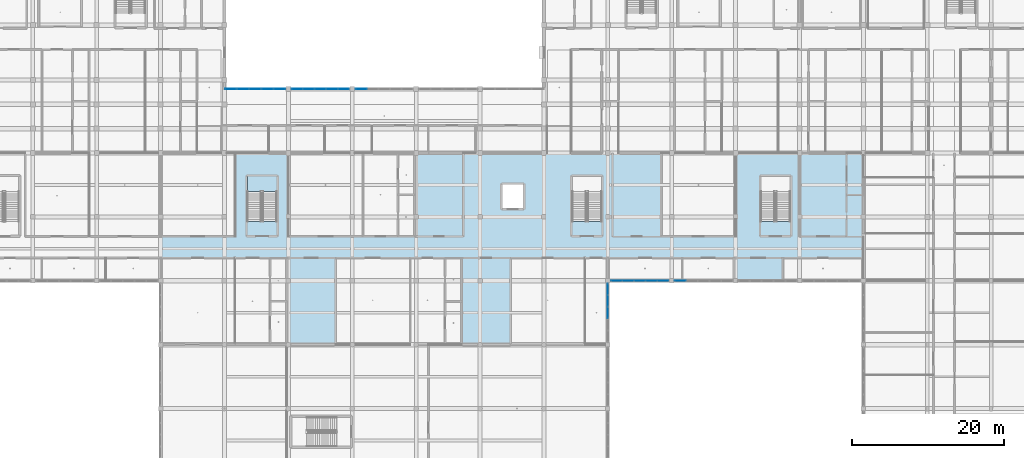
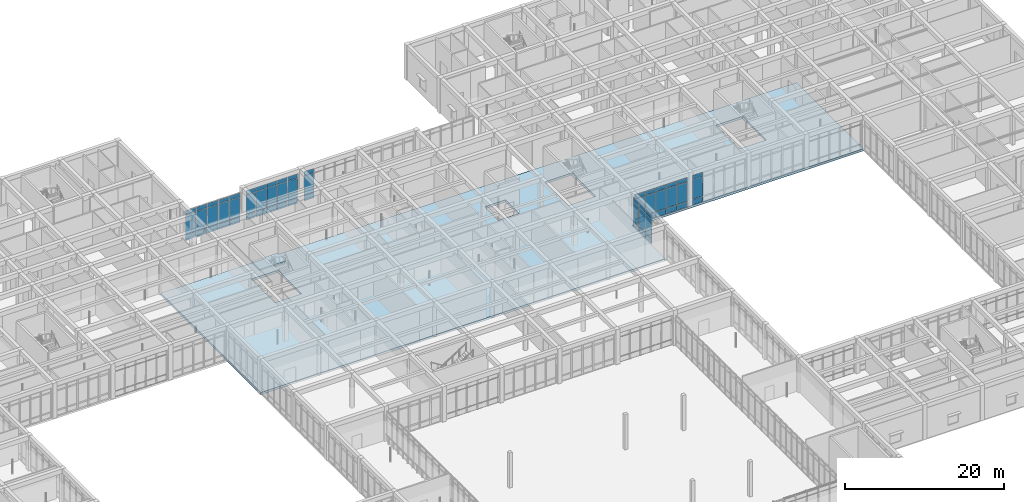
# One storey, part 68 of 157: 60 plates, 2 slabs, 7 elements without a shape of their own.
"""IFC4 building model written with IfcOpenShell, lengths in metres."""

import ifcopenshell
import ifcopenshell.guid

model = None  # the IFC model being written
_history = None  # IfcOwnerHistory: only IFC2X3 demands one
_inside = {}  # id of a spatial element -> (the spatial element, [elements in it])
_under = {}  # id of a project, library or spatial element -> (it, [spatial elements below it])
_declared = {}  # id of a project -> (the project, [libraries it declares])
_typed = {}  # id of a type object -> (the type object, [elements of that type])
_made_of = {}  # id of a material, layer set ... -> (it, [elements and type objects made of it])


def new_model(schema):
    """Start an empty IFC model of exactly this schema.

    Asked for "IFC4X3", IfcOpenShell would pick the latest addendum, in which some entities
    have other attributes; the version numbers below select the first issue.
    IFC2X3 requires an IfcOwnerHistory on every rooted entity: one is made here for all.
    """
    global model, _history
    if schema == "IFC4X3":
        model = ifcopenshell.file(schema_version=(4, 3, 0, 0))
    else:
        model = ifcopenshell.file(schema=schema)
    _inside.clear()
    _under.clear()
    _declared.clear()
    _typed.clear()
    _made_of.clear()
    _history = None
    if model.schema == "IFC2X3":
        org = make("IfcOrganization", Name="unknown")
        user = make(
            "IfcPersonAndOrganization",
            ThePerson=make("IfcPerson", FamilyName="unknown"),
            TheOrganization=org,
        )
        app = make(
            "IfcApplication",
            ApplicationDeveloper=org,
            Version="unknown",
            ApplicationFullName="unknown",
            ApplicationIdentifier="unknown",
        )
        _history = make(
            "IfcOwnerHistory",
            OwningUser=user,
            OwningApplication=app,
            ChangeAction="ADDED",
            CreationDate=0,
        )
    return model


def make(cls, **values):
    """One entity of the class cls with the attributes given. An attribute that is None is left unset."""
    return model.create_entity(
        cls, **{name: value for name, value in values.items() if value is not None}
    )


def rooted(cls, **values):
    """An entity with a GlobalId (a new one), such as an element, a storey or a relation."""
    return make(cls, GlobalId=ifcopenshell.guid.new(), OwnerHistory=_history, **values)


def si_unit(unit_type, name, prefix=None):
    """IfcSIUnit, for example si_unit("LENGTHUNIT", "METRE", prefix="MILLI")."""
    return make("IfcSIUnit", UnitType=unit_type, Prefix=prefix, Name=name)


def assignment(units):
    """IfcUnitAssignment: the units of a project."""
    return None if units is None else make("IfcUnitAssignment", Units=units)


def point(xyz):
    """IfcCartesianPoint."""
    return None if xyz is None else make("IfcCartesianPoint", Coordinates=xyz)


def direction(xyz):
    """IfcDirection."""
    return None if xyz is None else make("IfcDirection", DirectionRatios=xyz)


def frame(location, z_axis=None, x_axis=None):
    """IfcAxis2Placement3D, a coordinate frame: its origin and axes. An axis left out is left unset."""
    return make(
        "IfcAxis2Placement3D",
        Location=point(location),
        Axis=direction(z_axis),
        RefDirection=direction(x_axis),
    )


def frame_2d(location, x_axis=None):
    """IfcAxis2Placement2D, a coordinate frame in the plane: its origin and x axis."""
    return make(
        "IfcAxis2Placement2D", Location=point(location), RefDirection=direction(x_axis)
    )


def origin():
    """The frame at (0, 0, 0) with its axes left unset."""
    return frame((0.0, 0.0, 0.0))


def origin_2d():
    """The frame at (0, 0) in the plane with its x axis left unset."""
    return frame_2d((0.0, 0.0))


def place(relative_to, where):
    """IfcLocalPlacement: puts the frame where relative to a parent placement (None: the world)."""
    return make(
        "IfcLocalPlacement", PlacementRelTo=relative_to, RelativePlacement=where
    )


def context(
    kind, dimensions, precision=None, world=None, true_north=None, identifier=None
):
    """IfcGeometricRepresentationContext, for example the 3D "Model" context."""
    return make(
        "IfcGeometricRepresentationContext",
        ContextIdentifier=identifier,
        ContextType=kind,
        CoordinateSpaceDimension=dimensions,
        Precision=precision,
        WorldCoordinateSystem=world,
        TrueNorth=true_north,
    )


def subcontext(parent, identifier, kind, view, scale=None):
    """IfcGeometricRepresentationSubContext, for example "Body" below "Model"."""
    return make(
        "IfcGeometricRepresentationSubContext",
        ContextIdentifier=identifier,
        ContextType=kind,
        ParentContext=parent,
        TargetScale=scale,
        TargetView=view,
    )


def project(units=None, contexts=None):
    """IfcProject with its units and contexts."""
    return rooted(
        "IfcProject",
        Name="project",
        RepresentationContexts=contexts,
        UnitsInContext=assignment(units),
    )


def spatial(cls, under=None, at=None, **own):
    """A site, building, storey or space (cls), placed at a placement, below another one or the project."""
    s = rooted(cls, ObjectPlacement=at, **own)
    if under is not None:
        _under.setdefault(under.id(), (under, []))[1].append(s)
    return s


def polyline(points):
    """IfcPolyline through the points."""
    return make("IfcPolyline", Points=[point(p) for p in points])


def profile(cls, at=None, kind="AREA", **sizes):
    """A parametric profile (cls). Its sizes go by their IFC names, for example OverallWidth=200.0."""
    return make(cls, ProfileType=kind, Position=at, **sizes)


def rectangle(**sizes):
    """IfcRectangleProfileDef."""
    return profile("IfcRectangleProfileDef", **sizes)


def outline(outer, holes=None, kind="AREA"):
    """IfcArbitraryClosedProfileDef: a profile drawn as a closed curve; with holes, ...WithVoids."""
    if holes is None:
        return make("IfcArbitraryClosedProfileDef", ProfileType=kind, OuterCurve=outer)
    return make(
        "IfcArbitraryProfileDefWithVoids",
        ProfileType=kind,
        OuterCurve=outer,
        InnerCurves=holes,
    )


def extrude(swept, where, along, depth):
    """IfcExtrudedAreaSolid: the profile swept, set in the frame where, extruded along a direction by depth."""
    return make(
        "IfcExtrudedAreaSolid",
        SweptArea=swept,
        Position=where,
        ExtrudedDirection=direction(along),
        Depth=depth,
    )


def shape(context_of_items, identifier, shape_type, items):
    """IfcShapeRepresentation: the items that make up one representation, for example the "Body"."""
    return make(
        "IfcShapeRepresentation",
        ContextOfItems=context_of_items,
        RepresentationIdentifier=identifier,
        RepresentationType=shape_type,
        Items=items,
    )


def material(Name=None, Category=None):
    """IfcMaterial."""
    return make("IfcMaterial", Name=Name, Category=Category)


def layer(
    of_material, thickness, ventilated=None, Name=None, Category=None, Priority=None
):
    """IfcMaterialLayer: one layer of a wall or slab, of a material (None: an air gap)."""
    return make(
        "IfcMaterialLayer",
        Material=of_material,
        LayerThickness=thickness,
        IsVentilated=ventilated,
        Name=Name,
        Category=Category,
        Priority=Priority,
    )


def layer_set(layers, Name=None):
    """IfcMaterialLayerSet."""
    return make("IfcMaterialLayerSet", MaterialLayers=layers, LayerSetName=Name)


def made_of(thing, what):
    """Note that an element or type object is made of a material, layer set ...; save() writes the relation."""
    if what is not None:
        _made_of.setdefault(what.id(), (what, []))[1].append(thing)
    return thing


def type_object(cls, material=None, **own):
    """A type object (cls), such as IfcWallType, which elements share."""
    return made_of(rooted(cls, **own), material)


def element(
    cls,
    number,
    at=None,
    inside=None,
    cuts=None,
    type_object=None,
    material=None,
    context=None,
    identifier="Body",
    shape_type=None,
    held_by="IfcProductDefinitionShape",
    body=None,
    shapes=None,
    **own,
):
    """One element of the class cls, such as IfcWall. Its Tag is "e" and its number.

    at: its placement. inside: the storey or other place that contains it. cuts: it is an
    opening in that element (IfcRelVoidsElement). A single representation is given by context,
    identifier, shape_type and body (its items); several are given by shapes. held_by: the class
    of the entity that holds the representations. save() writes the other relations.
    """
    e = rooted(cls, Tag="e%d" % number, ObjectPlacement=at, **own)
    if body is not None:
        shapes = [shape(context, identifier, shape_type, body)]
    if shapes is not None:
        e.Representation = make(held_by, Representations=shapes)
    if inside is not None:
        _inside.setdefault(inside.id(), (inside, []))[1].append(e)
    if cuts is not None:
        rooted(
            "IfcRelVoidsElement", RelatingBuildingElement=cuts, RelatedOpeningElement=e
        )
    if type_object is not None:
        _typed.setdefault(type_object.id(), (type_object, []))[1].append(e)
    return made_of(e, material)


def aggregate(whole, parts):
    """IfcRelAggregates: a whole, such as a stair, and the parts it consists of."""
    return rooted("IfcRelAggregates", RelatingObject=whole, RelatedObjects=parts)


def save(model, path):
    """Write the relations noted so far, then the file.

    IfcRelAggregates (storeys below a building ...), IfcRelContainedInSpatialStructure (elements
    in a storey), IfcRelDefinesByType, IfcRelAssociatesMaterial and IfcRelDeclares: one each for
    every whole, place, type object, material and project.
    """
    for whole, parts in _under.values():
        aggregate(whole, parts)
    for where, things in _inside.values():
        rooted(
            "IfcRelContainedInSpatialStructure",
            RelatedElements=things,
            RelatingStructure=where,
        )
    for kind, things in _typed.values():
        rooted("IfcRelDefinesByType", RelatedObjects=things, RelatingType=kind)
    for what, things in _made_of.values():
        rooted("IfcRelAssociatesMaterial", RelatedObjects=things, RelatingMaterial=what)
    for by, libraries in _declared.values():
        rooted("IfcRelDeclares", RelatingContext=by, RelatedDefinitions=libraries)
    model.write(path)


model = new_model("IFC4")

# Units and contexts
model_context = context("Model", 3, precision=1e-05, world=origin(), true_north=direction((0.0, 1.0)))
body_context = subcontext(model_context, "Body", "Model", "MODEL_VIEW")
ifc_project = project(units=[si_unit("LENGTHUNIT", "METRE"), si_unit("AREAUNIT", "SQUARE_METRE"), si_unit("VOLUMEUNIT", "CUBIC_METRE"), si_unit("PLANEANGLEUNIT", "RADIAN"), si_unit("MASSUNIT", "GRAM", prefix="KILO")], contexts=[model_context])

# Site, building, storey
site_placement = place(None, origin())
site = spatial("IfcSite", under=ifc_project, at=site_placement, CompositionType="ELEMENT")
building_placement = place(site_placement, origin())
building = spatial("IfcBuilding", under=site, at=building_placement, Name="Varncliffe General Hospital", CompositionType="ELEMENT")
storey_placement = place(building_placement, frame((0.0, 0.0, 5.39990234375)))
storey = spatial("IfcBuildingStorey", under=building, at=storey_placement, Name="L01", CompositionType="ELEMENT", Elevation=5.39990234375)

# Curtain wall, plates
ifc_material_1 = material(Name="Triple low-E argon insulated vision glazing", Category="glass")
curtain_wall_type_1 = type_object("IfcCurtainWallType", Name="Unitised Glazed Curtain Wall CW26 (7594x4640)", PredefinedType="USERDEFINED", material=ifc_material_1)
curtain_wall_1_placement = place(storey_placement, origin())
curtain_wall_1 = element("IfcCurtainWall", 1, at=curtain_wall_1_placement, inside=storey, type_object=curtain_wall_type_1, Name="L01 Glazed Curtain Wall CW26-41", ObjectType="GLAZED CURTAIN WALL", PredefinedType="USERDEFINED")
ifc_layer_1 = layer(ifc_material_1, 0.0439453125)
ifc_layer_set_1 = layer_set([ifc_layer_1], Name="Triple low-E argon insulated vision glazing")
plate_type_1 = type_object("IfcPlateType", Name="Curtain Wall Glazing Panel CP12 (44mm)", PredefinedType="CURTAIN_PANEL", material=ifc_layer_set_1)
plate_1_placement = place(storey_placement, frame((85.1787109375, 108.0, 0.06005859375), z_axis=(0.0, 0.0, 1.0), x_axis=(1.0, 0.0, 0.0)))
plate_1 = element("IfcPlate", 2, at=plate_1_placement, type_object=plate_type_1, Name="CW26 panel 1.1", PredefinedType="CURTAIN_PANEL", context=body_context, shape_type="SweptSolid", body=[
    extrude(rectangle(XDim=1.42138671875, YDim=0.0439453125, at=origin_2d()), origin(), (0.0, 0.0, 1.0), 0.81005859375),
])
plate_2_placement = place(storey_placement, frame((85.1787109375, 108.0, 0.93017578125), z_axis=(0.0, 0.0, 1.0), x_axis=(1.0, 0.0, 0.0)))
plate_2 = element("IfcPlate", 3, at=plate_2_placement, type_object=plate_type_1, Name="CW26 panel 1.2", PredefinedType="CURTAIN_PANEL", context=body_context, shape_type="SweptSolid", body=[
    extrude(rectangle(XDim=1.42138671875, YDim=0.0439453125, at=origin_2d()), origin(), (0.0, 0.0, 1.0), 2.97998046875),
])
plate_3_placement = place(storey_placement, frame((85.1787109375, 108.0, 3.97021484375), z_axis=(0.0, 0.0, 1.0), x_axis=(1.0, 0.0, 0.0)))
plate_3 = element("IfcPlate", 4, at=plate_3_placement, type_object=plate_type_1, Name="CW26 panel 1.3", PredefinedType="CURTAIN_PANEL", context=body_context, shape_type="SweptSolid", body=[
    extrude(rectangle(XDim=1.42138671875, YDim=0.0439453125, at=origin_2d()), origin(), (0.0, 0.0, 1.0), 0.610107421875),
])
aggregate(curtain_wall_1, [plate_1, plate_2, plate_3])

curtain_wall_type_2 = type_object("IfcCurtainWallType", Name="Unitised Glazed Curtain Wall CW70 (7724x4640)", PredefinedType="USERDEFINED", material=ifc_material_1)
curtain_wall_2_placement = place(storey_placement, origin())
curtain_wall_2 = element("IfcCurtainWall", 5, at=curtain_wall_2_placement, inside=storey, type_object=curtain_wall_type_2, Name="L01 Glazed Curtain Wall CW70-70", ObjectType="GLAZED CURTAIN WALL", PredefinedType="USERDEFINED")
plate_4_placement = place(storey_placement, frame((127.129150390625, 82.800048828125, 0.06005859375), z_axis=(0.0, 0.0, 1.0), x_axis=(-1.0, 0.0, 0.0)))
plate_4 = element("IfcPlate", 6, at=plate_4_placement, type_object=plate_type_1, Name="CW70 panel 5.1", PredefinedType="CURTAIN_PANEL", context=body_context, shape_type="SweptSolid", body=[
    extrude(rectangle(XDim=1.432373046875, YDim=0.0439453125, at=origin_2d()), origin(), (0.0, 0.0, 1.0), 0.81005859375),
])
plate_5_placement = place(storey_placement, frame((127.129150390625, 82.800048828125, 0.93017578125), z_axis=(0.0, 0.0, 1.0), x_axis=(-1.0, 0.0, 0.0)))
plate_5 = element("IfcPlate", 7, at=plate_5_placement, type_object=plate_type_1, Name="CW70 panel 5.2", PredefinedType="CURTAIN_PANEL", context=body_context, shape_type="SweptSolid", body=[
    extrude(rectangle(XDim=1.432373046875, YDim=0.0439453125, at=origin_2d()), origin(), (0.0, 0.0, 1.0), 2.97998046875),
])
plate_6_placement = place(storey_placement, frame((127.129150390625, 82.800048828125, 3.97021484375), z_axis=(0.0, 0.0, 1.0), x_axis=(-1.0, 0.0, 0.0)))
plate_6 = element("IfcPlate", 8, at=plate_6_placement, type_object=plate_type_1, Name="CW70 panel 5.3", PredefinedType="CURTAIN_PANEL", context=body_context, shape_type="SweptSolid", body=[
    extrude(rectangle(XDim=1.432373046875, YDim=0.0439453125, at=origin_2d()), origin(), (0.0, 0.0, 1.0), 0.610107421875),
])
aggregate(curtain_wall_2, [plate_4, plate_5, plate_6])

curtain_wall_type_3 = type_object("IfcCurtainWallType", Name="Unitised Glazed Curtain Wall CW15 (7674x4640)", PredefinedType="USERDEFINED", material=ifc_material_1)
curtain_wall_3_placement = place(storey_placement, origin())
curtain_wall_3 = element("IfcCurtainWall", 9, at=curtain_wall_3_placement, inside=storey, type_object=curtain_wall_type_3, Name="L01 Glazed Curtain Wall CW15-40", ObjectType="GLAZED CURTAIN WALL", PredefinedType="USERDEFINED")
ifc_layer_2 = layer(ifc_material_1, 0.035888671875)
ifc_layer_set_2 = layer_set([ifc_layer_2], Name="Triple low-E argon insulated vision glazing")
plate_type_2 = type_object("IfcPlateType", Name="Curtain Wall Glazing Panel CP27 (36mm)", PredefinedType="CURTAIN_PANEL", material=ifc_layer_set_2)
plate_7_placement = place(storey_placement, frame((76.749267578125, 108.0, 0.06005859375), z_axis=(0.0, 0.0, 1.0), x_axis=(1.0, 0.0, 0.0)))
plate_7 = element("IfcPlate", 10, at=plate_7_placement, type_object=plate_type_2, Name="CW15 panel 1.1", PredefinedType="CURTAIN_PANEL", context=body_context, shape_type="SweptSolid", body=[
    extrude(rectangle(XDim=1.42236328125, YDim=0.035888671875, at=origin_2d()), origin(), (0.0, 0.0, 1.0), 0.81005859375),
])
plate_8_placement = place(storey_placement, frame((76.749267578125, 108.0, 0.93017578125), z_axis=(0.0, 0.0, 1.0), x_axis=(1.0, 0.0, 0.0)))
plate_8 = element("IfcPlate", 11, at=plate_8_placement, type_object=plate_type_2, Name="CW15 panel 1.2", PredefinedType="CURTAIN_PANEL", context=body_context, shape_type="SweptSolid", body=[
    extrude(rectangle(XDim=1.42236328125, YDim=0.035888671875, at=origin_2d()), origin(), (0.0, 0.0, 1.0), 2.97998046875),
])
plate_9_placement = place(storey_placement, frame((76.749267578125, 108.0, 3.97021484375), z_axis=(0.0, 0.0, 1.0), x_axis=(1.0, 0.0, 0.0)))
plate_9 = element("IfcPlate", 12, at=plate_9_placement, type_object=plate_type_2, Name="CW15 panel 1.3", PredefinedType="CURTAIN_PANEL", context=body_context, shape_type="SweptSolid", body=[
    extrude(rectangle(XDim=1.42236328125, YDim=0.035888671875, at=origin_2d()), origin(), (0.0, 0.0, 1.0), 0.610107421875),
])
plate_10_placement = place(storey_placement, frame((78.26513671875, 108.0, 0.06005859375), z_axis=(0.0, 0.0, 1.0), x_axis=(1.0, 0.0, 0.0)))
plate_10 = element("IfcPlate", 13, at=plate_10_placement, type_object=plate_type_2, Name="CW15 panel 2.1", PredefinedType="CURTAIN_PANEL", context=body_context, shape_type="SweptSolid", body=[
    extrude(rectangle(XDim=1.459716796875, YDim=0.035888671875, at=origin_2d()), origin(), (0.0, 0.0, 1.0), 0.81005859375),
])
plate_11_placement = place(storey_placement, frame((78.26513671875, 108.0, 0.93017578125), z_axis=(0.0, 0.0, 1.0), x_axis=(1.0, 0.0, 0.0)))
plate_11 = element("IfcPlate", 14, at=plate_11_placement, type_object=plate_type_2, Name="CW15 panel 2.2", PredefinedType="CURTAIN_PANEL", context=body_context, shape_type="SweptSolid", body=[
    extrude(rectangle(XDim=1.459716796875, YDim=0.035888671875, at=origin_2d()), origin(), (0.0, 0.0, 1.0), 2.97998046875),
])
plate_12_placement = place(storey_placement, frame((78.26513671875, 108.0, 3.97021484375), z_axis=(0.0, 0.0, 1.0), x_axis=(1.0, 0.0, 0.0)))
plate_12 = element("IfcPlate", 15, at=plate_12_placement, type_object=plate_type_2, Name="CW15 panel 2.3", PredefinedType="CURTAIN_PANEL", context=body_context, shape_type="SweptSolid", body=[
    extrude(rectangle(XDim=1.459716796875, YDim=0.035888671875, at=origin_2d()), origin(), (0.0, 0.0, 1.0), 0.610107421875),
])
plate_13_placement = place(storey_placement, frame((79.800048828125, 108.0, 0.06005859375), z_axis=(0.0, 0.0, 1.0), x_axis=(1.0, 0.0, 0.0)))
plate_13 = element("IfcPlate", 16, at=plate_13_placement, type_object=plate_type_2, Name="CW15 panel 3.1", PredefinedType="CURTAIN_PANEL", context=body_context, shape_type="SweptSolid", body=[
    extrude(rectangle(XDim=1.459716796875, YDim=0.035888671875, at=origin_2d()), origin(), (0.0, 0.0, 1.0), 0.81005859375),
])
plate_14_placement = place(storey_placement, frame((79.800048828125, 108.0, 0.93017578125), z_axis=(0.0, 0.0, 1.0), x_axis=(1.0, 0.0, 0.0)))
plate_14 = element("IfcPlate", 17, at=plate_14_placement, type_object=plate_type_2, Name="CW15 panel 3.2", PredefinedType="CURTAIN_PANEL", context=body_context, shape_type="SweptSolid", body=[
    extrude(rectangle(XDim=1.459716796875, YDim=0.035888671875, at=origin_2d()), origin(), (0.0, 0.0, 1.0), 2.97998046875),
])
plate_15_placement = place(storey_placement, frame((79.800048828125, 108.0, 3.97021484375), z_axis=(0.0, 0.0, 1.0), x_axis=(1.0, 0.0, 0.0)))
plate_15 = element("IfcPlate", 18, at=plate_15_placement, type_object=plate_type_2, Name="CW15 panel 3.3", PredefinedType="CURTAIN_PANEL", context=body_context, shape_type="SweptSolid", body=[
    extrude(rectangle(XDim=1.459716796875, YDim=0.035888671875, at=origin_2d()), origin(), (0.0, 0.0, 1.0), 0.610107421875),
])
plate_16_placement = place(storey_placement, frame((81.334716796875, 108.0, 0.06005859375), z_axis=(0.0, 0.0, 1.0), x_axis=(1.0, 0.0, 0.0)))
plate_16 = element("IfcPlate", 19, at=plate_16_placement, type_object=plate_type_2, Name="CW15 panel 4.1", PredefinedType="CURTAIN_PANEL", context=body_context, shape_type="SweptSolid", body=[
    extrude(rectangle(XDim=1.459716796875, YDim=0.035888671875, at=origin_2d()), origin(), (0.0, 0.0, 1.0), 0.81005859375),
])
plate_17_placement = place(storey_placement, frame((81.334716796875, 108.0, 0.93017578125), z_axis=(0.0, 0.0, 1.0), x_axis=(1.0, 0.0, 0.0)))
plate_17 = element("IfcPlate", 20, at=plate_17_placement, type_object=plate_type_2, Name="CW15 panel 4.2", PredefinedType="CURTAIN_PANEL", context=body_context, shape_type="SweptSolid", body=[
    extrude(rectangle(XDim=1.459716796875, YDim=0.035888671875, at=origin_2d()), origin(), (0.0, 0.0, 1.0), 2.97998046875),
])
plate_18_placement = place(storey_placement, frame((81.334716796875, 108.0, 3.97021484375), z_axis=(0.0, 0.0, 1.0), x_axis=(1.0, 0.0, 0.0)))
plate_18 = element("IfcPlate", 21, at=plate_18_placement, type_object=plate_type_2, Name="CW15 panel 4.3", PredefinedType="CURTAIN_PANEL", context=body_context, shape_type="SweptSolid", body=[
    extrude(rectangle(XDim=1.459716796875, YDim=0.035888671875, at=origin_2d()), origin(), (0.0, 0.0, 1.0), 0.610107421875),
])
plate_19_placement = place(storey_placement, frame((82.850830078125, 108.0, 0.06005859375), z_axis=(0.0, 0.0, 1.0), x_axis=(1.0, 0.0, 0.0)))
plate_19 = element("IfcPlate", 22, at=plate_19_placement, type_object=plate_type_2, Name="CW15 panel 5.1", PredefinedType="CURTAIN_PANEL", context=body_context, shape_type="SweptSolid", body=[
    extrude(rectangle(XDim=1.42236328125, YDim=0.035888671875, at=origin_2d()), origin(), (0.0, 0.0, 1.0), 0.81005859375),
])
plate_20_placement = place(storey_placement, frame((82.850830078125, 108.0, 0.93017578125), z_axis=(0.0, 0.0, 1.0), x_axis=(1.0, 0.0, 0.0)))
plate_20 = element("IfcPlate", 23, at=plate_20_placement, type_object=plate_type_2, Name="CW15 panel 5.2", PredefinedType="CURTAIN_PANEL", context=body_context, shape_type="SweptSolid", body=[
    extrude(rectangle(XDim=1.42236328125, YDim=0.035888671875, at=origin_2d()), origin(), (0.0, 0.0, 1.0), 2.97998046875),
])
plate_21_placement = place(storey_placement, frame((82.850830078125, 108.0, 3.97021484375), z_axis=(0.0, 0.0, 1.0), x_axis=(1.0, 0.0, 0.0)))
plate_21 = element("IfcPlate", 24, at=plate_21_placement, type_object=plate_type_2, Name="CW15 panel 5.3", PredefinedType="CURTAIN_PANEL", context=body_context, shape_type="SweptSolid", body=[
    extrude(rectangle(XDim=1.42236328125, YDim=0.035888671875, at=origin_2d()), origin(), (0.0, 0.0, 1.0), 0.610107421875),
])
aggregate(curtain_wall_3, [plate_7, plate_8, plate_9, plate_10, plate_11, plate_12, plate_13, plate_14, plate_15, plate_16, plate_17, plate_18, plate_19, plate_20, plate_21])

curtain_wall_type_4 = type_object("IfcCurtainWallType", Name="Unitised Glazed Curtain Wall CW85 (7804x4640)", PredefinedType="USERDEFINED", material=ifc_material_1)
curtain_wall_4_placement = place(storey_placement, origin())
curtain_wall_4 = element("IfcCurtainWall", 25, at=curtain_wall_4_placement, inside=storey, type_object=curtain_wall_type_4, Name="L01 Glazed Curtain Wall CW85-72", ObjectType="GLAZED CURTAIN WALL", PredefinedType="USERDEFINED")
plate_22_placement = place(storey_placement, frame((117.60009765625, 81.702880859375, 0.06494140625), z_axis=(0.0, 0.0, 1.0), x_axis=(0.0, -1.0, 0.0)))
plate_22 = element("IfcPlate", 26, at=plate_22_placement, type_object=plate_type_2, Name="CW85 panel 1.1", PredefinedType="CURTAIN_PANEL", context=body_context, shape_type="SweptSolid", body=[
    extrude(rectangle(XDim=1.4482421875, YDim=0.035888671875, at=origin_2d()), origin(), (0.0, 0.0, 1.0), 0.802490234375),
])
plate_23_placement = place(storey_placement, frame((117.60009765625, 81.702880859375, 0.9326171875), z_axis=(0.0, 0.0, 1.0), x_axis=(0.0, -1.0, 0.0)))
plate_23 = element("IfcPlate", 27, at=plate_23_placement, type_object=plate_type_2, Name="CW85 panel 1.2", PredefinedType="CURTAIN_PANEL", context=body_context, shape_type="SweptSolid", body=[
    extrude(rectangle(XDim=1.4482421875, YDim=0.035888671875, at=origin_2d()), origin(), (0.0, 0.0, 1.0), 2.97509765625),
])
plate_24_placement = place(storey_placement, frame((117.60009765625, 81.702880859375, 3.97265625), z_axis=(0.0, 0.0, 1.0), x_axis=(0.0, -1.0, 0.0)))
plate_24 = element("IfcPlate", 28, at=plate_24_placement, type_object=plate_type_2, Name="CW85 panel 1.3", PredefinedType="CURTAIN_PANEL", context=body_context, shape_type="SweptSolid", body=[
    extrude(rectangle(XDim=1.4482421875, YDim=0.035888671875, at=origin_2d()), origin(), (0.0, 0.0, 1.0), 0.6025390625),
])
plate_25_placement = place(storey_placement, frame((117.60009765625, 80.160888671875, 0.06494140625), z_axis=(0.0, 0.0, 1.0), x_axis=(0.0, -1.0, 0.0)))
plate_25 = element("IfcPlate", 29, at=plate_25_placement, type_object=plate_type_2, Name="CW85 panel 2.1", PredefinedType="CURTAIN_PANEL", context=body_context, shape_type="SweptSolid", body=[
    extrude(rectangle(XDim=1.48583984375, YDim=0.035888671875, at=origin_2d()), origin(), (0.0, 0.0, 1.0), 0.802490234375),
])
plate_26_placement = place(storey_placement, frame((117.60009765625, 80.160888671875, 0.9326171875), z_axis=(0.0, 0.0, 1.0), x_axis=(0.0, -1.0, 0.0)))
plate_26 = element("IfcPlate", 30, at=plate_26_placement, type_object=plate_type_2, Name="CW85 panel 2.2", PredefinedType="CURTAIN_PANEL", context=body_context, shape_type="SweptSolid", body=[
    extrude(rectangle(XDim=1.48583984375, YDim=0.035888671875, at=origin_2d()), origin(), (0.0, 0.0, 1.0), 2.97509765625),
])
plate_27_placement = place(storey_placement, frame((117.60009765625, 80.160888671875, 3.97265625), z_axis=(0.0, 0.0, 1.0), x_axis=(0.0, -1.0, 0.0)))
plate_27 = element("IfcPlate", 31, at=plate_27_placement, type_object=plate_type_2, Name="CW85 panel 2.3", PredefinedType="CURTAIN_PANEL", context=body_context, shape_type="SweptSolid", body=[
    extrude(rectangle(XDim=1.48583984375, YDim=0.035888671875, at=origin_2d()), origin(), (0.0, 0.0, 1.0), 0.6025390625),
])
plate_28_placement = place(storey_placement, frame((117.60009765625, 78.60009765625, 0.06494140625), z_axis=(0.0, 0.0, 1.0), x_axis=(0.0, -1.0, 0.0)))
plate_28 = element("IfcPlate", 32, at=plate_28_placement, type_object=plate_type_2, Name="CW85 panel 3.1", PredefinedType="CURTAIN_PANEL", context=body_context, shape_type="SweptSolid", body=[
    extrude(rectangle(XDim=1.48583984375, YDim=0.035888671875, at=origin_2d()), origin(), (0.0, 0.0, 1.0), 0.802490234375),
])
plate_29_placement = place(storey_placement, frame((117.60009765625, 78.60009765625, 0.9326171875), z_axis=(0.0, 0.0, 1.0), x_axis=(0.0, -1.0, 0.0)))
plate_29 = element("IfcPlate", 33, at=plate_29_placement, type_object=plate_type_2, Name="CW85 panel 3.2", PredefinedType="CURTAIN_PANEL", context=body_context, shape_type="SweptSolid", body=[
    extrude(rectangle(XDim=1.48583984375, YDim=0.035888671875, at=origin_2d()), origin(), (0.0, 0.0, 1.0), 2.97509765625),
])
plate_30_placement = place(storey_placement, frame((117.60009765625, 78.60009765625, 3.97265625), z_axis=(0.0, 0.0, 1.0), x_axis=(0.0, -1.0, 0.0)))
plate_30 = element("IfcPlate", 34, at=plate_30_placement, type_object=plate_type_2, Name="CW85 panel 3.3", PredefinedType="CURTAIN_PANEL", context=body_context, shape_type="SweptSolid", body=[
    extrude(rectangle(XDim=1.48583984375, YDim=0.035888671875, at=origin_2d()), origin(), (0.0, 0.0, 1.0), 0.6025390625),
])
aggregate(curtain_wall_4, [plate_22, plate_23, plate_24, plate_25, plate_26, plate_27, plate_28, plate_29, plate_30])

curtain_wall_type_5 = type_object("IfcCurtainWallType", Name="Unitised Glazed Curtain Wall CW32 (8077x4640)", PredefinedType="USERDEFINED", material=ifc_material_1)
curtain_wall_5_placement = place(storey_placement, origin())
curtain_wall_5 = element("IfcCurtainWall", 35, at=curtain_wall_5_placement, inside=storey, type_object=curtain_wall_type_5, Name="L01 Glazed Curtain Wall CW32-39", ObjectType="GLAZED CURTAIN WALL", PredefinedType="USERDEFINED")
ifc_material_2 = material(Name="Insulated ceramic-fritted spandrel glazing panel", Category="glass")
ifc_layer_3 = layer(ifc_material_2, 0.052001953125)
ifc_layer_set_3 = layer_set([ifc_layer_3], Name="Insulated ceramic-fritted spandrel glazing panel")
plate_type_3 = type_object("IfcPlateType", Name="Curtain Wall Glazing Panel CP46 (52mm)", PredefinedType="CURTAIN_PANEL", material=ifc_layer_set_3)
plate_31_placement = place(storey_placement, frame((68.0263671875, 108.0, 0.06494140625), z_axis=(0.0, 0.0, 1.0), x_axis=(1.0, 0.0, 0.0)))
plate_31 = element("IfcPlate", 36, at=plate_31_placement, type_object=plate_type_3, Name="CW32 panel 1.1", PredefinedType="CURTAIN_PANEL", context=body_context, shape_type="SweptSolid", body=[
    extrude(rectangle(XDim=1.5029296875, YDim=0.052001953125, at=origin_2d()), origin(), (0.0, 0.0, 1.0), 0.802490234375),
])
plate_32_placement = place(storey_placement, frame((68.0263671875, 108.0, 0.9326171875), z_axis=(0.0, 0.0, 1.0), x_axis=(1.0, 0.0, 0.0)))
plate_32 = element("IfcPlate", 37, at=plate_32_placement, type_object=plate_type_3, Name="CW32 panel 1.2", PredefinedType="CURTAIN_PANEL", context=body_context, shape_type="SweptSolid", body=[
    extrude(rectangle(XDim=1.5029296875, YDim=0.052001953125, at=origin_2d()), origin(), (0.0, 0.0, 1.0), 2.97509765625),
])
plate_33_placement = place(storey_placement, frame((68.0263671875, 108.0, 3.97265625), z_axis=(0.0, 0.0, 1.0), x_axis=(1.0, 0.0, 0.0)))
plate_33 = element("IfcPlate", 38, at=plate_33_placement, type_object=plate_type_3, Name="CW32 panel 1.3", PredefinedType="CURTAIN_PANEL", context=body_context, shape_type="SweptSolid", body=[
    extrude(rectangle(XDim=1.5029296875, YDim=0.052001953125, at=origin_2d()), origin(), (0.0, 0.0, 1.0), 0.6025390625),
])
plate_34_placement = place(storey_placement, frame((69.623046875, 108.0, 0.06494140625), z_axis=(0.0, 0.0, 1.0), x_axis=(1.0, 0.0, 0.0)))
plate_34 = element("IfcPlate", 39, at=plate_34_placement, type_object=plate_type_3, Name="CW32 panel 2.1", PredefinedType="CURTAIN_PANEL", context=body_context, shape_type="SweptSolid", body=[
    extrude(rectangle(XDim=1.540283203125, YDim=0.052001953125, at=origin_2d()), origin(), (0.0, 0.0, 1.0), 0.802490234375),
])
plate_35_placement = place(storey_placement, frame((69.623046875, 108.0, 0.9326171875), z_axis=(0.0, 0.0, 1.0), x_axis=(1.0, 0.0, 0.0)))
plate_35 = element("IfcPlate", 40, at=plate_35_placement, type_object=plate_type_3, Name="CW32 panel 2.2", PredefinedType="CURTAIN_PANEL", context=body_context, shape_type="SweptSolid", body=[
    extrude(rectangle(XDim=1.540283203125, YDim=0.052001953125, at=origin_2d()), origin(), (0.0, 0.0, 1.0), 2.97509765625),
])
plate_36_placement = place(storey_placement, frame((69.623046875, 108.0, 3.97265625), z_axis=(0.0, 0.0, 1.0), x_axis=(1.0, 0.0, 0.0)))
plate_36 = element("IfcPlate", 41, at=plate_36_placement, type_object=plate_type_3, Name="CW32 panel 2.3", PredefinedType="CURTAIN_PANEL", context=body_context, shape_type="SweptSolid", body=[
    extrude(rectangle(XDim=1.540283203125, YDim=0.052001953125, at=origin_2d()), origin(), (0.0, 0.0, 1.0), 0.6025390625),
])
plate_37_placement = place(storey_placement, frame((71.238525390625, 108.0, 0.06494140625), z_axis=(0.0, 0.0, 1.0), x_axis=(1.0, 0.0, 0.0)))
plate_37 = element("IfcPlate", 42, at=plate_37_placement, type_object=plate_type_3, Name="CW32 panel 3.1", PredefinedType="CURTAIN_PANEL", context=body_context, shape_type="SweptSolid", body=[
    extrude(rectangle(XDim=1.540283203125, YDim=0.052001953125, at=origin_2d()), origin(), (0.0, 0.0, 1.0), 0.802490234375),
])
plate_38_placement = place(storey_placement, frame((71.238525390625, 108.0, 0.9326171875), z_axis=(0.0, 0.0, 1.0), x_axis=(1.0, 0.0, 0.0)))
plate_38 = element("IfcPlate", 43, at=plate_38_placement, type_object=plate_type_3, Name="CW32 panel 3.2", PredefinedType="CURTAIN_PANEL", context=body_context, shape_type="SweptSolid", body=[
    extrude(rectangle(XDim=1.540283203125, YDim=0.052001953125, at=origin_2d()), origin(), (0.0, 0.0, 1.0), 2.97509765625),
])
plate_39_placement = place(storey_placement, frame((71.238525390625, 108.0, 3.97265625), z_axis=(0.0, 0.0, 1.0), x_axis=(1.0, 0.0, 0.0)))
plate_39 = element("IfcPlate", 44, at=plate_39_placement, type_object=plate_type_3, Name="CW32 panel 3.3", PredefinedType="CURTAIN_PANEL", context=body_context, shape_type="SweptSolid", body=[
    extrude(rectangle(XDim=1.540283203125, YDim=0.052001953125, at=origin_2d()), origin(), (0.0, 0.0, 1.0), 0.6025390625),
])
plate_40_placement = place(storey_placement, frame((72.85400390625, 108.0, 0.06494140625), z_axis=(0.0, 0.0, 1.0), x_axis=(1.0, 0.0, 0.0)))
plate_40 = element("IfcPlate", 45, at=plate_40_placement, type_object=plate_type_3, Name="CW32 panel 4.1", PredefinedType="CURTAIN_PANEL", context=body_context, shape_type="SweptSolid", body=[
    extrude(rectangle(XDim=1.540283203125, YDim=0.052001953125, at=origin_2d()), origin(), (0.0, 0.0, 1.0), 0.802490234375),
])
plate_41_placement = place(storey_placement, frame((72.85400390625, 108.0, 0.9326171875), z_axis=(0.0, 0.0, 1.0), x_axis=(1.0, 0.0, 0.0)))
plate_41 = element("IfcPlate", 46, at=plate_41_placement, type_object=plate_type_3, Name="CW32 panel 4.2", PredefinedType="CURTAIN_PANEL", context=body_context, shape_type="SweptSolid", body=[
    extrude(rectangle(XDim=1.540283203125, YDim=0.052001953125, at=origin_2d()), origin(), (0.0, 0.0, 1.0), 2.97509765625),
])
plate_42_placement = place(storey_placement, frame((72.85400390625, 108.0, 3.97265625), z_axis=(0.0, 0.0, 1.0), x_axis=(1.0, 0.0, 0.0)))
plate_42 = element("IfcPlate", 47, at=plate_42_placement, type_object=plate_type_3, Name="CW32 panel 4.3", PredefinedType="CURTAIN_PANEL", context=body_context, shape_type="SweptSolid", body=[
    extrude(rectangle(XDim=1.540283203125, YDim=0.052001953125, at=origin_2d()), origin(), (0.0, 0.0, 1.0), 0.6025390625),
])
plate_43_placement = place(storey_placement, frame((74.450439453125, 108.0, 0.06494140625), z_axis=(0.0, 0.0, 1.0), x_axis=(1.0, 0.0, 0.0)))
plate_43 = element("IfcPlate", 48, at=plate_43_placement, type_object=plate_type_3, Name="CW32 panel 5.1", PredefinedType="CURTAIN_PANEL", context=body_context, shape_type="SweptSolid", body=[
    extrude(rectangle(XDim=1.5029296875, YDim=0.052001953125, at=origin_2d()), origin(), (0.0, 0.0, 1.0), 0.802490234375),
])
plate_44_placement = place(storey_placement, frame((74.450439453125, 108.0, 0.9326171875), z_axis=(0.0, 0.0, 1.0), x_axis=(1.0, 0.0, 0.0)))
plate_44 = element("IfcPlate", 49, at=plate_44_placement, type_object=plate_type_3, Name="CW32 panel 5.2", PredefinedType="CURTAIN_PANEL", context=body_context, shape_type="SweptSolid", body=[
    extrude(rectangle(XDim=1.5029296875, YDim=0.052001953125, at=origin_2d()), origin(), (0.0, 0.0, 1.0), 2.97509765625),
])
plate_45_placement = place(storey_placement, frame((74.450439453125, 108.0, 3.97265625), z_axis=(0.0, 0.0, 1.0), x_axis=(1.0, 0.0, 0.0)))
plate_45 = element("IfcPlate", 50, at=plate_45_placement, type_object=plate_type_3, Name="CW32 panel 5.3", PredefinedType="CURTAIN_PANEL", context=body_context, shape_type="SweptSolid", body=[
    extrude(rectangle(XDim=1.5029296875, YDim=0.052001953125, at=origin_2d()), origin(), (0.0, 0.0, 1.0), 0.6025390625),
])
aggregate(curtain_wall_5, [plate_31, plate_32, plate_33, plate_34, plate_35, plate_36, plate_37, plate_38, plate_39, plate_40, plate_41, plate_42, plate_43, plate_44, plate_45])

curtain_wall_type_6 = type_object("IfcCurtainWallType", Name="Unitised Glazed Curtain Wall CW27 (7644x4640)", PredefinedType="USERDEFINED", material=ifc_material_1)
curtain_wall_6_placement = place(storey_placement, origin())
curtain_wall_6 = element("IfcCurtainWall", 51, at=curtain_wall_6_placement, inside=storey, type_object=curtain_wall_type_6, Name="L01 Glazed Curtain Wall CW27-71", ObjectType="GLAZED CURTAIN WALL", PredefinedType="USERDEFINED")
ifc_layer_4 = layer(ifc_material_1, 0.028076171875)
ifc_layer_set_4 = layer_set([ifc_layer_4], Name="Triple low-E argon insulated vision glazing")
plate_type_4 = type_object("IfcPlateType", Name="Curtain Wall Glazing Panel CP48 (28mm)", PredefinedType="CURTAIN_PANEL", material=ifc_layer_set_4)
plate_46_placement = place(storey_placement, frame((124.84130859375, 82.800048828125, 0.06005859375), z_axis=(0.0, 0.0, 1.0), x_axis=(-1.0, 0.0, 0.0)))
plate_46 = element("IfcPlate", 52, at=plate_46_placement, type_object=plate_type_4, Name="CW27 panel 1.1", PredefinedType="CURTAIN_PANEL", context=body_context, shape_type="SweptSolid", body=[
    extrude(rectangle(XDim=1.431396484375, YDim=0.028076171875, at=origin_2d()), origin(), (0.0, 0.0, 1.0), 0.81005859375),
])
plate_47_placement = place(storey_placement, frame((124.84130859375, 82.800048828125, 0.93017578125), z_axis=(0.0, 0.0, 1.0), x_axis=(-1.0, 0.0, 0.0)))
plate_47 = element("IfcPlate", 53, at=plate_47_placement, type_object=plate_type_4, Name="CW27 panel 1.2", PredefinedType="CURTAIN_PANEL", context=body_context, shape_type="SweptSolid", body=[
    extrude(rectangle(XDim=1.431396484375, YDim=0.028076171875, at=origin_2d()), origin(), (0.0, 0.0, 1.0), 2.97998046875),
])
plate_48_placement = place(storey_placement, frame((124.84130859375, 82.800048828125, 3.97021484375), z_axis=(0.0, 0.0, 1.0), x_axis=(-1.0, 0.0, 0.0)))
plate_48 = element("IfcPlate", 54, at=plate_48_placement, type_object=plate_type_4, Name="CW27 panel 1.3", PredefinedType="CURTAIN_PANEL", context=body_context, shape_type="SweptSolid", body=[
    extrude(rectangle(XDim=1.431396484375, YDim=0.028076171875, at=origin_2d()), origin(), (0.0, 0.0, 1.0), 0.610107421875),
])
plate_49_placement = place(storey_placement, frame((123.328857421875, 82.800048828125, 0.06005859375), z_axis=(0.0, 0.0, 1.0), x_axis=(-1.0, 0.0, 0.0)))
plate_49 = element("IfcPlate", 55, at=plate_49_placement, type_object=plate_type_4, Name="CW27 panel 2.1", PredefinedType="CURTAIN_PANEL", context=body_context, shape_type="SweptSolid", body=[
    extrude(rectangle(XDim=1.4638671875, YDim=0.028076171875, at=origin_2d()), origin(), (0.0, 0.0, 1.0), 0.81005859375),
])
plate_50_placement = place(storey_placement, frame((123.328857421875, 82.800048828125, 0.93017578125), z_axis=(0.0, 0.0, 1.0), x_axis=(-1.0, 0.0, 0.0)))
plate_50 = element("IfcPlate", 56, at=plate_50_placement, type_object=plate_type_4, Name="CW27 panel 2.2", PredefinedType="CURTAIN_PANEL", context=body_context, shape_type="SweptSolid", body=[
    extrude(rectangle(XDim=1.4638671875, YDim=0.028076171875, at=origin_2d()), origin(), (0.0, 0.0, 1.0), 2.97998046875),
])
plate_51_placement = place(storey_placement, frame((123.328857421875, 82.800048828125, 3.97021484375), z_axis=(0.0, 0.0, 1.0), x_axis=(-1.0, 0.0, 0.0)))
plate_51 = element("IfcPlate", 57, at=plate_51_placement, type_object=plate_type_4, Name="CW27 panel 2.3", PredefinedType="CURTAIN_PANEL", context=body_context, shape_type="SweptSolid", body=[
    extrude(rectangle(XDim=1.4638671875, YDim=0.028076171875, at=origin_2d()), origin(), (0.0, 0.0, 1.0), 0.610107421875),
])
plate_52_placement = place(storey_placement, frame((121.800048828125, 82.800048828125, 0.06005859375), z_axis=(0.0, 0.0, 1.0), x_axis=(-1.0, 0.0, 0.0)))
plate_52 = element("IfcPlate", 58, at=plate_52_placement, type_object=plate_type_4, Name="CW27 panel 3.1", PredefinedType="CURTAIN_PANEL", context=body_context, shape_type="SweptSolid", body=[
    extrude(rectangle(XDim=1.4638671875, YDim=0.028076171875, at=origin_2d()), origin(), (0.0, 0.0, 1.0), 0.81005859375),
])
plate_53_placement = place(storey_placement, frame((121.800048828125, 82.800048828125, 0.93017578125), z_axis=(0.0, 0.0, 1.0), x_axis=(-1.0, 0.0, 0.0)))
plate_53 = element("IfcPlate", 59, at=plate_53_placement, type_object=plate_type_4, Name="CW27 panel 3.2", PredefinedType="CURTAIN_PANEL", context=body_context, shape_type="SweptSolid", body=[
    extrude(rectangle(XDim=1.4638671875, YDim=0.028076171875, at=origin_2d()), origin(), (0.0, 0.0, 1.0), 2.97998046875),
])
plate_54_placement = place(storey_placement, frame((121.800048828125, 82.800048828125, 3.97021484375), z_axis=(0.0, 0.0, 1.0), x_axis=(-1.0, 0.0, 0.0)))
plate_54 = element("IfcPlate", 60, at=plate_54_placement, type_object=plate_type_4, Name="CW27 panel 3.3", PredefinedType="CURTAIN_PANEL", context=body_context, shape_type="SweptSolid", body=[
    extrude(rectangle(XDim=1.4638671875, YDim=0.028076171875, at=origin_2d()), origin(), (0.0, 0.0, 1.0), 0.610107421875),
])
plate_55_placement = place(storey_placement, frame((120.271240234375, 82.800048828125, 0.06005859375), z_axis=(0.0, 0.0, 1.0), x_axis=(-1.0, 0.0, 0.0)))
plate_55 = element("IfcPlate", 61, at=plate_55_placement, type_object=plate_type_4, Name="CW27 panel 4.1", PredefinedType="CURTAIN_PANEL", context=body_context, shape_type="SweptSolid", body=[
    extrude(rectangle(XDim=1.4638671875, YDim=0.028076171875, at=origin_2d()), origin(), (0.0, 0.0, 1.0), 0.81005859375),
])
plate_56_placement = place(storey_placement, frame((120.271240234375, 82.800048828125, 0.93017578125), z_axis=(0.0, 0.0, 1.0), x_axis=(-1.0, 0.0, 0.0)))
plate_56 = element("IfcPlate", 62, at=plate_56_placement, type_object=plate_type_4, Name="CW27 panel 4.2", PredefinedType="CURTAIN_PANEL", context=body_context, shape_type="SweptSolid", body=[
    extrude(rectangle(XDim=1.4638671875, YDim=0.028076171875, at=origin_2d()), origin(), (0.0, 0.0, 1.0), 2.97998046875),
])
plate_57_placement = place(storey_placement, frame((120.271240234375, 82.800048828125, 3.97021484375), z_axis=(0.0, 0.0, 1.0), x_axis=(-1.0, 0.0, 0.0)))
plate_57 = element("IfcPlate", 63, at=plate_57_placement, type_object=plate_type_4, Name="CW27 panel 4.3", PredefinedType="CURTAIN_PANEL", context=body_context, shape_type="SweptSolid", body=[
    extrude(rectangle(XDim=1.4638671875, YDim=0.028076171875, at=origin_2d()), origin(), (0.0, 0.0, 1.0), 0.610107421875),
])
plate_58_placement = place(storey_placement, frame((118.758544921875, 82.800048828125, 0.06005859375), z_axis=(0.0, 0.0, 1.0), x_axis=(-1.0, 0.0, 0.0)))
plate_58 = element("IfcPlate", 64, at=plate_58_placement, type_object=plate_type_4, Name="CW27 panel 5.1", PredefinedType="CURTAIN_PANEL", context=body_context, shape_type="SweptSolid", body=[
    extrude(rectangle(XDim=1.431396484375, YDim=0.028076171875, at=origin_2d()), origin(), (0.0, 0.0, 1.0), 0.81005859375),
])
plate_59_placement = place(storey_placement, frame((118.758544921875, 82.800048828125, 0.93017578125), z_axis=(0.0, 0.0, 1.0), x_axis=(-1.0, 0.0, 0.0)))
plate_59 = element("IfcPlate", 65, at=plate_59_placement, type_object=plate_type_4, Name="CW27 panel 5.2", PredefinedType="CURTAIN_PANEL", context=body_context, shape_type="SweptSolid", body=[
    extrude(rectangle(XDim=1.431396484375, YDim=0.028076171875, at=origin_2d()), origin(), (0.0, 0.0, 1.0), 2.97998046875),
])
plate_60_placement = place(storey_placement, frame((118.758544921875, 82.800048828125, 3.97021484375), z_axis=(0.0, 0.0, 1.0), x_axis=(-1.0, 0.0, 0.0)))
plate_60 = element("IfcPlate", 66, at=plate_60_placement, type_object=plate_type_4, Name="CW27 panel 5.3", PredefinedType="CURTAIN_PANEL", context=body_context, shape_type="SweptSolid", body=[
    extrude(rectangle(XDim=1.431396484375, YDim=0.028076171875, at=origin_2d()), origin(), (0.0, 0.0, 1.0), 0.610107421875),
])
aggregate(curtain_wall_6, [plate_46, plate_47, plate_48, plate_49, plate_50, plate_51, plate_52, plate_53, plate_54, plate_55, plate_56, plate_57, plate_58, plate_59, plate_60])

# Slab
ifc_material_3 = material(Name="Concrete C35/45 (CSA A23.1 35 MPa)", Category="concrete")
ifc_layer_5 = layer(ifc_material_3, 0.340087890625)
ifc_layer_set_5 = layer_set([ifc_layer_5], Name="Concrete C35/45 (CSA A23.1 35 MPa)")
slab_type_1 = type_object("IfcSlabType", Name="Floor Slab SL29 (Int 340mm)", PredefinedType="FLOOR", material=ifc_layer_set_5)
slab_1_placement = place(storey_placement, frame((0.0, 0.0, -0.33984375)))
element("IfcSlab", 67, at=slab_1_placement, inside=storey, type_object=slab_type_1, Name="L01 V4 Structural Floor Slab 1", PredefinedType="FLOOR", context=body_context, shape_type="SweptSolid", body=[
    extrude(outline(polyline([(117.60009765625, 74.39990234375), (58.800048828125, 74.39990234375), (58.800048828125, 99.60009765625), (117.60009765625, 99.60009765625), (151.199951171875, 99.60009765625), (151.199951171875, 82.800048828125), (117.60009765625, 82.800048828125), (117.60009765625, 74.39990234375)]), holes=[polyline([(116.800048828125, 90.60009765625), (116.800048828125, 96.550048828125), (112.89990234375, 96.550048828125), (112.89990234375, 90.60009765625), (116.800048828125, 90.60009765625)]), polyline([(74.10009765625, 90.60009765625), (74.10009765625, 96.550048828125), (70.199951171875, 96.550048828125), (70.199951171875, 90.60009765625), (74.10009765625, 90.60009765625)]), polyline([(141.60009765625, 90.60009765625), (141.60009765625, 96.550048828125), (137.699951171875, 96.550048828125), (137.699951171875, 90.60009765625), (141.60009765625, 90.60009765625)]), polyline([(103.60009765625, 92.199951171875), (106.60009765625, 92.199951171875), (106.60009765625, 95.60009765625), (103.60009765625, 95.60009765625), (103.60009765625, 92.199951171875)])]), origin(), (0.0, 0.0, 1.0), 0.33984375),
])

# Stair, slab
stair_type = type_object("IfcStairType", Name="Hospital Stair Assembly ST-T02 (1850w-5400h)", PredefinedType="TWO_STRAIGHT_RUN_STAIR", material=ifc_material_3)
stair_placement = place(storey_placement, origin())
stair = element("IfcStair", 68, at=stair_placement, inside=storey, type_object=stair_type, Name="L01 Surgical West Exit Stair 12", PredefinedType="TWO_STRAIGHT_RUN_STAIR")
ifc_layer_6 = layer(ifc_material_3, 0.199951171875)
ifc_layer_set_6 = layer_set([ifc_layer_6], Name="Concrete C35/45 (CSA A23.1 35 MPa)")
slab_type_2 = type_object("IfcSlabType", Name="Reinforced Concrete Stair Landing LND50 (200mm)", PredefinedType="LANDING", material=ifc_layer_set_6)
slab_2_placement = place(storey_placement, frame((0.0, 0.0, 2.5)))
slab_2 = element("IfcSlab", 69, at=slab_2_placement, type_object=slab_type_2, Name="ST12 landing 1", PredefinedType="LANDING", context=body_context, shape_type="SweptSolid", body=[
    extrude(outline(polyline([(74.10009765625, 94.52001953125), (74.10009765625, 96.550048828125), (70.199951171875, 96.550048828125), (70.199951171875, 94.52001953125), (74.10009765625, 94.52001953125)])), origin(), (0.0, 0.0, 1.0), 0.2001953125),
])
aggregate(stair, [slab_2])

save(model, "model.ifc")
